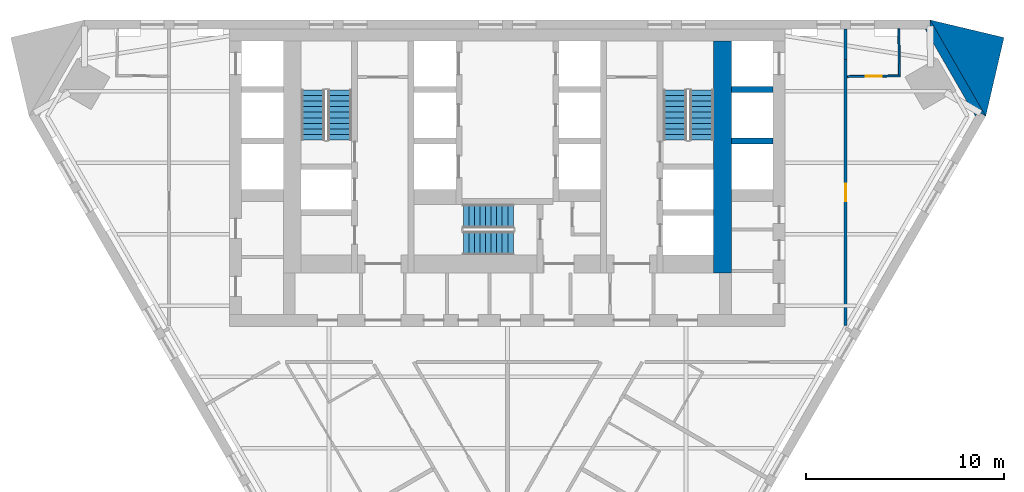
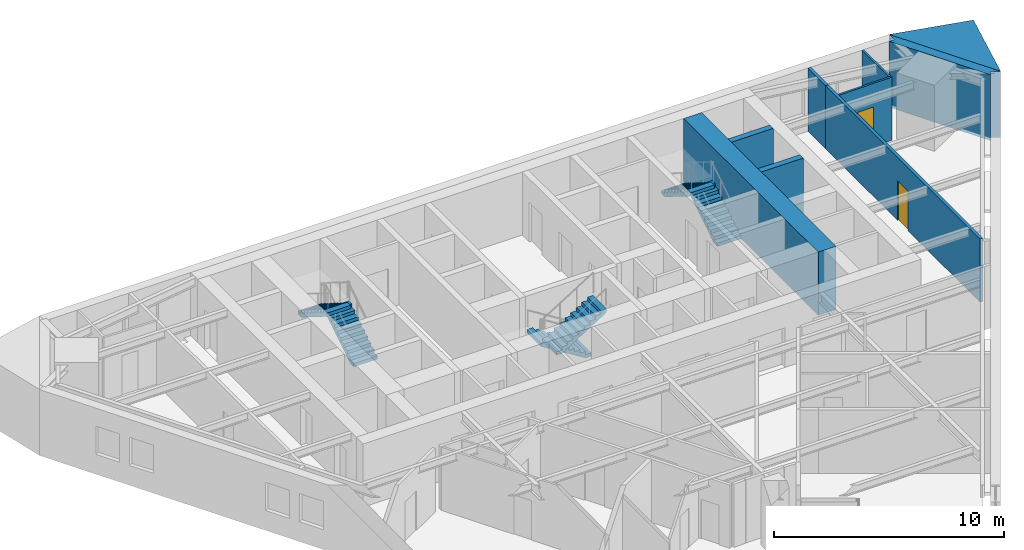
# One storey, part 7 of 9: 9 walls, 6 stair flights, 2 doors, 2 openings, 3 elements without a shape of their own.
"""IFC4 building model written with IfcOpenShell, lengths in metres."""

from ifc_helpers import new_model, si_unit, direction, frame, frame_2d, origin, place, context, subcontext, project, spatial, polyline, rectangle, outline, extrude, material, layer, layer_set, type_object, element, fill, aggregate, save


model = new_model("IFC4")

# Units and contexts
model_context = context("Model", 3, precision=1e-05, world=origin(), true_north=direction((0.0, 1.0)))
body_context = subcontext(model_context, "Body", "Model", "MODEL_VIEW")
ifc_project = project(units=[si_unit("LENGTHUNIT", "METRE"), si_unit("AREAUNIT", "SQUARE_METRE"), si_unit("VOLUMEUNIT", "CUBIC_METRE"), si_unit("PLANEANGLEUNIT", "RADIAN"), si_unit("MASSUNIT", "GRAM", prefix="KILO")], contexts=[model_context])

# Site, building, storey
site_placement = place(None, origin())
site = spatial("IfcSite", under=ifc_project, at=site_placement, CompositionType="ELEMENT")
building_placement = place(site_placement, origin())
building = spatial("IfcBuilding", under=site, at=building_placement, Name="Aloe Facet Convention Tower", CompositionType="ELEMENT")
storey_placement = place(building_placement, frame((0.0, 0.0, 106.300048828125)))
storey = spatial("IfcBuildingStorey", under=building, at=storey_placement, Name="L26", CompositionType="ELEMENT", Elevation=106.300048828125)

# Walls
ifc_material_1 = material(Name="Concrete C70/85", Category="concrete")
ifc_layer_1 = layer(ifc_material_1, 0.300048828125)
ifc_layer_set_1 = layer_set([ifc_layer_1], Name="CR-W-RC300-C7085")
wall_type_1 = type_object("IfcWallType", Name="CR-W-RC300-C7085", PredefinedType="SOLIDWALL", material=ifc_layer_set_1)
for number, where, z_axis, x_axis, name in (
    (1, (91.300048828125, 131.5, 0.0), (0.0, 0.0, 1.0), (1.0, 0.0, 0.0), "Core wall L26-048"),
    (2, (91.300048828125, 128.89990234375, 0.0), (0.0, 0.0, 1.0), (1.0, 0.0, 0.0), "Core wall L26-049"),
):
    element("IfcWall", number, at=place(storey_placement, frame(where, z_axis=z_axis, x_axis=x_axis)), inside=storey, type_object=wall_type_1, Name=name, PredefinedType="SOLIDWALL", context=body_context, shape_type="SweptSolid", body=[
        extrude(rectangle(XDim=2.099853515625, YDim=0.300048828125, at=frame_2d((1.0498046875, 0.0))), origin(), (0.0, 0.0, 1.0), 3.349853515625),
    ])
ifc_material_2 = material(Name="Concrete C70/85", Category="concrete")
ifc_layer_2 = layer(ifc_material_2, 0.89990234375)
ifc_layer_set_2 = layer_set([ifc_layer_2], Name="CR-W-RC900-C7085")
wall_type_2 = type_object("IfcWallType", Name="CR-W-RC900-C7085", PredefinedType="SOLIDWALL", material=ifc_layer_set_2)
wall_1_placement = place(storey_placement, frame((90.85009765625, 133.949951171875, 0.0), z_axis=(0.0, 0.0, 1.0), x_axis=(0.0, -1.0, 0.0)))
element("IfcWall", 3, at=wall_1_placement, inside=storey, type_object=wall_type_2, Name="Core wall L26-046", PredefinedType="SOLIDWALL", context=body_context, shape_type="SweptSolid", body=[
    extrude(rectangle(XDim=11.699951171875, YDim=0.89990234375, at=frame_2d((5.85009765625, 0.0))), origin(), (0.0, 0.0, 1.0), 3.349853515625),
])
ifc_material_3 = material(Name="Precast concrete C40/50", Category="concrete")
ifc_layer_3 = layer(ifc_material_3, 0.449951171875)
ifc_layer_set_3 = layer_set([ifc_layer_3], Name="EV-WALL-PIER")
wall_type_3 = type_object("IfcWallType", Name="EV-WALL-PIER", PredefinedType="SOLIDWALL", material=ifc_layer_set_3)
wall_2_placement = place(storey_placement, frame((0.0, 0.0, -0.150146484375)))
element("IfcWall", 4, at=wall_2_placement, inside=storey, type_object=wall_type_3, Name="EP-L26-C", PredefinedType="SOLIDWALL", context=body_context, shape_type="SweptSolid", body=[
    extrude(outline(polyline([(104.12158203125, 130.150146484375), (103.73193359375, 130.375244140625), (103.601806640625, 130.150146484375), (101.061767578125, 134.550048828125), (101.321533203125, 134.550048828125), (101.321533203125, 135.0), (104.12158203125, 130.150146484375)])), origin(), (0.0, 0.0, 1.0), 3.5),
])
ifc_material_4 = material(Name="Precast concrete C40/50", Category="concrete")
ifc_layer_4 = layer(ifc_material_4, 3.947998046875)
ifc_layer_set_4 = layer_set([ifc_layer_4], Name="EV-WALL-SPINE")
wall_type_4 = type_object("IfcWallType", Name="EV-WALL-SPINE", PredefinedType="SOLIDWALL", material=ifc_layer_set_4)
wall_3_placement = place(storey_placement, frame((0.0, 0.0, -0.150146484375)))
element("IfcWall", 5, at=wall_3_placement, inside=storey, type_object=wall_type_4, Name="SP-NE-L26", PredefinedType="SOLIDWALL", context=body_context, shape_type="SweptSolid", body=[
    extrude(outline(polyline([(104.12158203125, 130.150146484375), (105.041748046875, 134.114501953125), (101.321533203125, 135.0), (104.12158203125, 130.150146484375)])), origin(), (0.0, 0.0, 1.0), 3.5),
])
ifc_material_5 = material(Name="Gypsum board partition on steel studs", Category="steel")
ifc_layer_5 = layer(ifc_material_5, 0.14990234375)
ifc_layer_set_5 = layer_set([ifc_layer_5], Name="IN-W-CORR")
wall_type_5 = type_object("IfcWallType", Name="IN-W-CORR", PredefinedType="PARTITIONING", material=ifc_layer_set_5)
wall_4_placement = place(storey_placement, frame((97.05712890625, 133.010986328125, 0.0), z_axis=(0.0, 0.0, 1.0), x_axis=(0.0, 1.0, 0.0)))
element("IfcWall", 6, at=wall_4_placement, inside=storey, type_object=wall_type_5, Name="Partition L26-W064", PredefinedType="PARTITIONING", context=body_context, shape_type="SweptSolid", body=[
    extrude(rectangle(XDim=1.5390625, YDim=0.14990234375, at=frame_2d((0.76953125, 0.0))), origin(), (0.0, 0.0, 1.0), 3.349853515625),
])

# Wall, opening, door
wall_5_placement = place(storey_placement, frame((97.05712890625, 119.586669921875, 0.0), z_axis=(0.0, 0.0, 1.0), x_axis=(0.0, 1.0, 0.0)))
wall_5 = element("IfcWall", 7, at=wall_5_placement, inside=storey, type_object=wall_type_5, Name="Partition L26-W065", PredefinedType="PARTITIONING", context=body_context, shape_type="SweptSolid", body=[
    extrude(rectangle(XDim=13.42431640625, YDim=0.14990234375, at=frame_2d((6.712158203125, 0.0))), origin(), (0.0, 0.0, 1.0), 3.349853515625),
])
opening_1_placement = place(wall_5_placement, frame((6.26220703125, 0.0, 0.0)))
opening_1 = element("IfcOpeningElement", 8, at=opening_1_placement, cuts=wall_5, Name="Opening L26-007", PredefinedType="OPENING", context=body_context, shape_type="SweptSolid", body=[
    extrude(rectangle(XDim=0.89990234375, YDim=2.10009765625, at=frame_2d((0.449951171875, 1.050048828125))), frame((0.0, 0.0849609375, 0.0), z_axis=(0.0, -1.0, 0.0), x_axis=(1.0, 0.0, 0.0)), (0.0, 0.0, 1.0), 0.169921875),
])
ifc_material_6 = material(Name="Hardwood flush door FD30S", Category="wood")
door_type_1 = type_object("IfcDoorType", Name="IN-D-GUEST", OperationType="SINGLE_SWING_LEFT", PredefinedType="DOOR", material=ifc_material_6)
door_1_placement = place(opening_1_placement, origin())
door_1 = element("IfcDoor", 9, at=door_1_placement, inside=storey, type_object=door_type_1, Name="Door L26-007", OperationType="SINGLE_SWING_LEFT", OverallHeight=2.10009765625, OverallWidth=0.89990234375, PredefinedType="DOOR", context=body_context, shape_type="SweptSolid", body=[
    extrude(rectangle(XDim=0.89990234375, YDim=2.10009765625, at=frame_2d((0.449951171875, 1.050048828125))), frame((0.0, 0.02490234375, 0.0), z_axis=(0.0, -1.0, 0.0), x_axis=(1.0, 0.0, 0.0)), (0.0, 0.0, 1.0), 0.050048828125),
])
fill(opening_1, door_1)

ifc_material_7 = material(Name="Gypsum board partition on steel studs", Category="steel")
ifc_layer_6 = layer(ifc_material_7, 0.10009765625)
ifc_layer_set_6 = layer_set([ifc_layer_6], Name="IN-W-PART")
wall_type_6 = type_object("IfcWallType", Name="IN-W-PART", PredefinedType="PARTITIONING", material=ifc_layer_set_6)
wall_6_placement = place(storey_placement, frame((97.142822265625, 132.14990234375, 0.0), z_axis=(0.0, 0.0, 1.0), x_axis=(0.999914830804, 0.013051097189, 0.0)))
wall_6 = element("IfcWall", 10, at=wall_6_placement, inside=storey, type_object=wall_type_6, Name="Partition L26-W060", PredefinedType="PARTITIONING", context=body_context, shape_type="SweptSolid", body=[
    extrude(rectangle(XDim=2.675048828125, YDim=0.10009765625, at=frame_2d((1.33740234375, 0.0))), origin(), (0.0, 0.0, 1.0), 3.349853515625),
])
opening_2_placement = place(wall_6_placement, frame((0.9375, 0.0, 0.0)))
opening_2 = element("IfcOpeningElement", 11, at=opening_2_placement, cuts=wall_6, Name="Opening L26-018", PredefinedType="OPENING", context=body_context, shape_type="SweptSolid", body=[
    extrude(rectangle(XDim=0.800048828125, YDim=2.10009765625, at=frame_2d((0.39990234375, 1.050048828125))), frame((0.0, 0.06005859375, 0.0), z_axis=(0.0, -1.0, 0.0), x_axis=(1.0, 0.0, 0.0)), (0.0, 0.0, 1.0), 0.1201171875),
])
ifc_material_8 = material(Name="Timber flush door", Category="wood")
door_type_2 = type_object("IfcDoorType", Name="IN-D-BATH", OperationType="SINGLE_SWING_LEFT", PredefinedType="DOOR", material=ifc_material_8)
door_2_placement = place(opening_2_placement, origin())
door_2 = element("IfcDoor", 12, at=door_2_placement, inside=storey, type_object=door_type_2, Name="Door L26-018", OperationType="SINGLE_SWING_LEFT", OverallHeight=2.10009765625, OverallWidth=0.800048828125, PredefinedType="DOOR", context=body_context, shape_type="SweptSolid", body=[
    extrude(rectangle(XDim=0.800048828125, YDim=2.10009765625, at=frame_2d((0.39990234375, 1.050048828125))), frame((0.0, 0.02490234375, 0.0), z_axis=(0.0, -1.0, 0.0), x_axis=(1.0, 0.0, 0.0)), (0.0, 0.0, 1.0), 0.050048828125),
])
fill(opening_2, door_2)

# Wall
wall_7_placement = place(storey_placement, frame((99.73681640625, 134.550048828125, 0.0), z_axis=(0.0, 0.0, 1.0), x_axis=(0.012965387027, -0.999915945837, 0.0)))
element("IfcWall", 13, at=wall_7_placement, inside=storey, type_object=wall_type_6, Name="Partition L26-W067", PredefinedType="PARTITIONING", context=body_context, shape_type="SweptSolid", body=[
    extrude(rectangle(XDim=2.316162109375, YDim=0.10009765625, at=frame_2d((1.158203125, 0.0))), origin(), (0.0, 0.0, 1.0), 3.349853515625),
])

# Stair, stair flights
ifc_material_9 = material(Name="Concrete C50/60", Category="concrete")
stair_type = type_object("IfcStairType", Name="CR-ST-20R", PredefinedType="HALF_TURN_STAIR", material=ifc_material_9)
stair_1_placement = place(storey_placement, origin())
stair_1 = element("IfcStair", 14, at=stair_1_placement, inside=storey, type_object=stair_type, Name="L26 Protected exit stair ST1", PredefinedType="HALF_TURN_STAIR")
ifc_material_10 = material(Name="Concrete C50/60", Category="concrete")
stair_flight_type = type_object("IfcStairFlightType", Name="CR-SFL-20R", PredefinedType="STRAIGHT", material=ifc_material_10)
stair_flight_1_placement = place(storey_placement, frame((71.550048828125, 128.949951171875, 0.0), z_axis=(0.0, 0.0, 1.0), x_axis=(0.0, 1.0, 0.0)))
stair_flight_1 = element("IfcStairFlight", 15, at=stair_flight_1_placement, type_object=stair_flight_type, Name="ST1 flight 1", NumberOfRisers=10, NumberOfTreads=9, PredefinedType="STRAIGHT", RiserHeight=0.175, TreadLength=0.28, context=body_context, shape_type="SweptSolid", body=[
    extrude(outline(polyline([(0.0, 0.0), (0.0, 0.175048828125), (0.280029296875, 0.175048828125), (0.280029296875, 0.35009765625), (0.56005859375, 0.35009765625), (0.56005859375, 0.52490234375), (0.840087890625, 0.52490234375), (0.840087890625, 0.699951171875), (1.1201171875, 0.699951171875), (1.1201171875, 0.875), (1.39990234375, 0.875), (1.39990234375, 1.050048828125), (1.679931640625, 1.050048828125), (1.679931640625, 1.22509765625), (1.9599609375, 1.22509765625), (1.9599609375, 1.39990234375), (2.239990234375, 1.39990234375), (2.239990234375, 1.574951171875), (2.52001953125, 1.574951171875), (2.52001953125, 1.75), (2.52001953125, 1.398193359375), (0.28271484375, 0.0), (0.0, 0.0)])), frame((0.0, 0.60009765625, 0.0), z_axis=(0.0, -1.0, 0.0), x_axis=(1.0, 0.0, 0.0)), (0.0, 0.0, 1.0), 1.199951171875),
])
stair_flight_2_placement = place(storey_placement, frame((70.199951171875, 131.469970703125, 1.75), z_axis=(0.0, 0.0, 1.0), x_axis=(0.0, -1.0, 0.0)))
stair_flight_2 = element("IfcStairFlight", 16, at=stair_flight_2_placement, type_object=stair_flight_type, Name="ST1 flight 2", NumberOfRisers=10, NumberOfTreads=9, PredefinedType="STRAIGHT", RiserHeight=0.175, TreadLength=0.28, context=body_context, shape_type="SweptSolid", body=[
    extrude(outline(polyline([(0.0, 0.0), (0.0, 0.175048828125), (0.280029296875, 0.175048828125), (0.280029296875, 0.35009765625), (0.56005859375, 0.35009765625), (0.56005859375, 0.52490234375), (0.840087890625, 0.52490234375), (0.840087890625, 0.699951171875), (1.1201171875, 0.699951171875), (1.1201171875, 0.875), (1.39990234375, 0.875), (1.39990234375, 1.050048828125), (1.679931640625, 1.050048828125), (1.679931640625, 1.22509765625), (1.9599609375, 1.22509765625), (1.9599609375, 1.39990234375), (2.239990234375, 1.39990234375), (2.239990234375, 1.574951171875), (2.52001953125, 1.574951171875), (2.52001953125, 1.75), (2.52001953125, 1.398193359375), (0.28271484375, 0.0), (0.0, 0.0)])), frame((0.0, 0.60009765625, 0.0), z_axis=(0.0, -1.0, 0.0), x_axis=(1.0, 0.0, 0.0)), (0.0, 0.0, 1.0), 1.199951171875),
])
aggregate(stair_1, [stair_flight_1, stair_flight_2])

stair_2_placement = place(storey_placement, origin())
stair_2 = element("IfcStair", 17, at=stair_2_placement, inside=storey, type_object=stair_type, Name="L26 Protected exit stair ST2", PredefinedType="HALF_TURN_STAIR")
stair_flight_3_placement = place(storey_placement, frame((89.800048828125, 128.949951171875, 0.0), z_axis=(0.0, 0.0, 1.0), x_axis=(0.0, 1.0, 0.0)))
stair_flight_3 = element("IfcStairFlight", 18, at=stair_flight_3_placement, type_object=stair_flight_type, Name="ST2 flight 1", NumberOfRisers=10, NumberOfTreads=9, PredefinedType="STRAIGHT", RiserHeight=0.175, TreadLength=0.28, context=body_context, shape_type="SweptSolid", body=[
    extrude(outline(polyline([(0.0, 0.0), (0.0, 0.175048828125), (0.280029296875, 0.175048828125), (0.280029296875, 0.35009765625), (0.56005859375, 0.35009765625), (0.56005859375, 0.52490234375), (0.840087890625, 0.52490234375), (0.840087890625, 0.699951171875), (1.1201171875, 0.699951171875), (1.1201171875, 0.875), (1.39990234375, 0.875), (1.39990234375, 1.050048828125), (1.679931640625, 1.050048828125), (1.679931640625, 1.22509765625), (1.9599609375, 1.22509765625), (1.9599609375, 1.39990234375), (2.239990234375, 1.39990234375), (2.239990234375, 1.574951171875), (2.52001953125, 1.574951171875), (2.52001953125, 1.75), (2.52001953125, 1.398193359375), (0.28271484375, 0.0), (0.0, 0.0)])), frame((0.0, 0.60009765625, 0.0), z_axis=(0.0, -1.0, 0.0), x_axis=(1.0, 0.0, 0.0)), (0.0, 0.0, 1.0), 1.199951171875),
])
stair_flight_4_placement = place(storey_placement, frame((88.449951171875, 131.469970703125, 1.75), z_axis=(0.0, 0.0, 1.0), x_axis=(0.0, -1.0, 0.0)))
stair_flight_4 = element("IfcStairFlight", 19, at=stair_flight_4_placement, type_object=stair_flight_type, Name="ST2 flight 2", NumberOfRisers=10, NumberOfTreads=9, PredefinedType="STRAIGHT", RiserHeight=0.175, TreadLength=0.28, context=body_context, shape_type="SweptSolid", body=[
    extrude(outline(polyline([(0.0, 0.0), (0.0, 0.175048828125), (0.280029296875, 0.175048828125), (0.280029296875, 0.35009765625), (0.56005859375, 0.35009765625), (0.56005859375, 0.52490234375), (0.840087890625, 0.52490234375), (0.840087890625, 0.699951171875), (1.1201171875, 0.699951171875), (1.1201171875, 0.875), (1.39990234375, 0.875), (1.39990234375, 1.050048828125), (1.679931640625, 1.050048828125), (1.679931640625, 1.22509765625), (1.9599609375, 1.22509765625), (1.9599609375, 1.39990234375), (2.239990234375, 1.39990234375), (2.239990234375, 1.574951171875), (2.52001953125, 1.574951171875), (2.52001953125, 1.75), (2.52001953125, 1.398193359375), (0.28271484375, 0.0), (0.0, 0.0)])), frame((0.0, 0.60009765625, 0.0), z_axis=(0.0, -1.0, 0.0), x_axis=(1.0, 0.0, 0.0)), (0.0, 0.0, 1.0), 1.199951171875),
])
aggregate(stair_2, [stair_flight_3, stair_flight_4])

stair_3_placement = place(storey_placement, origin())
stair_3 = element("IfcStair", 20, at=stair_3_placement, inside=storey, type_object=stair_type, Name="L26 Protected exit stair ST3", PredefinedType="HALF_TURN_STAIR")
stair_flight_5_placement = place(storey_placement, frame((80.300048828125, 125.10009765625, 0.0), z_axis=(0.0, 0.0, 1.0), x_axis=(-1.0, 0.0, 0.0)))
stair_flight_5 = element("IfcStairFlight", 21, at=stair_flight_5_placement, type_object=stair_flight_type, Name="ST3 flight 1", NumberOfRisers=10, NumberOfTreads=9, PredefinedType="STRAIGHT", RiserHeight=0.175, TreadLength=0.28, context=body_context, shape_type="SweptSolid", body=[
    extrude(outline(polyline([(0.0, 0.0), (0.0, 0.175048828125), (0.280029296875, 0.175048828125), (0.280029296875, 0.35009765625), (0.56005859375, 0.35009765625), (0.56005859375, 0.52490234375), (0.840087890625, 0.52490234375), (0.840087890625, 0.699951171875), (1.1201171875, 0.699951171875), (1.1201171875, 0.875), (1.39990234375, 0.875), (1.39990234375, 1.050048828125), (1.679931640625, 1.050048828125), (1.679931640625, 1.22509765625), (1.9599609375, 1.22509765625), (1.9599609375, 1.39990234375), (2.239990234375, 1.39990234375), (2.239990234375, 1.574951171875), (2.52001953125, 1.574951171875), (2.52001953125, 1.75), (2.52001953125, 1.398193359375), (0.28271484375, 0.0), (0.0, 0.0)])), frame((0.0, 0.60009765625, 0.0), z_axis=(0.0, -1.0, 0.0), x_axis=(1.0, 0.0, 0.0)), (0.0, 0.0, 1.0), 1.199951171875),
])
stair_flight_6_placement = place(storey_placement, frame((77.780029296875, 123.75, 1.75), z_axis=(0.0, 0.0, 1.0), x_axis=(1.0, 0.0, 0.0)))
stair_flight_6 = element("IfcStairFlight", 22, at=stair_flight_6_placement, type_object=stair_flight_type, Name="ST3 flight 2", NumberOfRisers=10, NumberOfTreads=9, PredefinedType="STRAIGHT", RiserHeight=0.175, TreadLength=0.28, context=body_context, shape_type="SweptSolid", body=[
    extrude(outline(polyline([(0.0, 0.0), (0.0, 0.175048828125), (0.280029296875, 0.175048828125), (0.280029296875, 0.35009765625), (0.56005859375, 0.35009765625), (0.56005859375, 0.52490234375), (0.840087890625, 0.52490234375), (0.840087890625, 0.699951171875), (1.1201171875, 0.699951171875), (1.1201171875, 0.875), (1.39990234375, 0.875), (1.39990234375, 1.050048828125), (1.679931640625, 1.050048828125), (1.679931640625, 1.22509765625), (1.9599609375, 1.22509765625), (1.9599609375, 1.39990234375), (2.239990234375, 1.39990234375), (2.239990234375, 1.574951171875), (2.52001953125, 1.574951171875), (2.52001953125, 1.75), (2.52001953125, 1.398193359375), (0.28271484375, 0.0), (0.0, 0.0)])), frame((0.0, 0.60009765625, 0.0), z_axis=(0.0, -1.0, 0.0), x_axis=(1.0, 0.0, 0.0)), (0.0, 0.0, 1.0), 1.199951171875),
])
aggregate(stair_3, [stair_flight_5, stair_flight_6])

save(model, "model.ifc")
